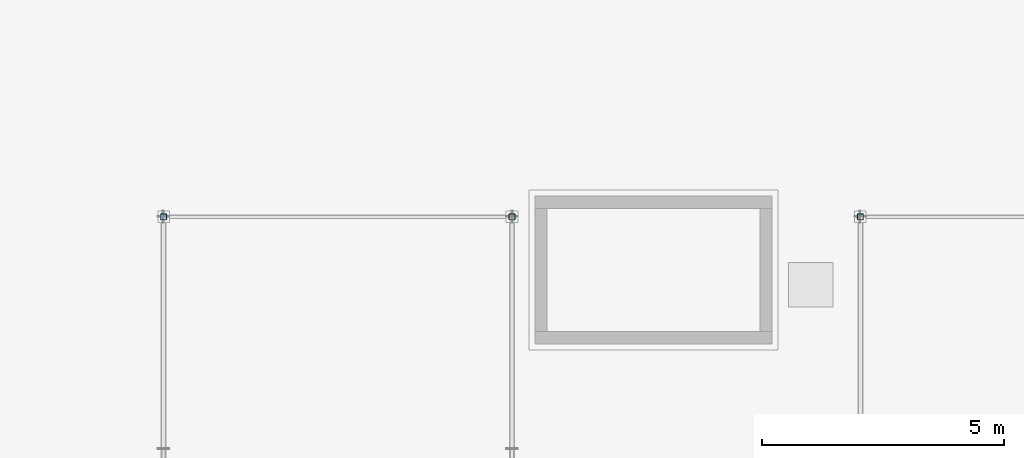
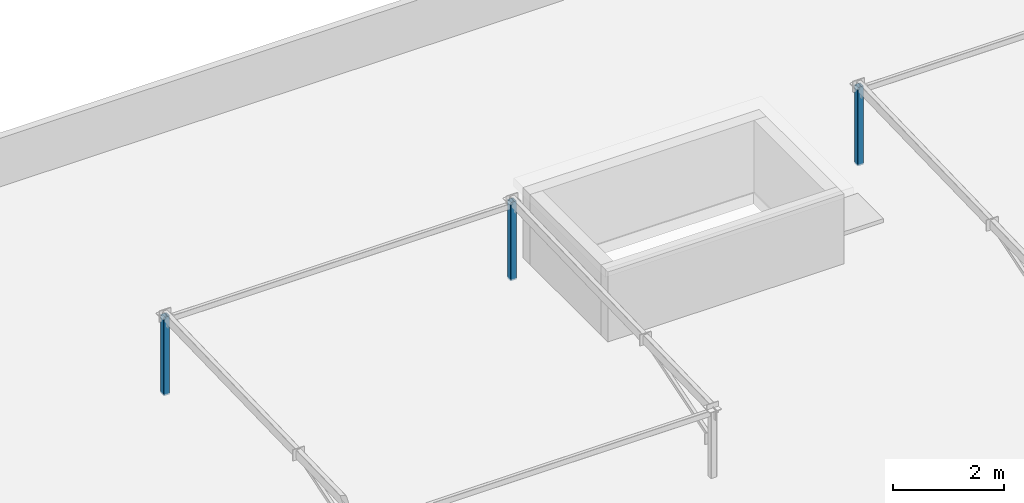
# One storey, part 3 of 43: 3 columns.
"""IFC4 building model written with IfcOpenShell, lengths in metres."""

from ifc_helpers import new_model, si_unit, direction, frame, origin, origin_2d, place, context, subcontext, project, spatial, hollow_rectangle, extrude, material, material_profile, profile_set, type_object, element, save


model = new_model("IFC4")

# Units and contexts
model_context = context("Model", 3, precision=1e-05, world=origin(), true_north=direction((0.0, 1.0)))
body_context = subcontext(model_context, "Body", "Model", "MODEL_VIEW")
ifc_project = project(units=[si_unit("LENGTHUNIT", "METRE"), si_unit("AREAUNIT", "SQUARE_METRE"), si_unit("VOLUMEUNIT", "CUBIC_METRE"), si_unit("PLANEANGLEUNIT", "RADIAN"), si_unit("MASSUNIT", "GRAM", prefix="KILO")], contexts=[model_context])

# Site, building, storey
site_placement = place(None, origin())
site = spatial("IfcSite", under=ifc_project, at=site_placement, CompositionType="ELEMENT")
building_placement = place(site_placement, origin())
building = spatial("IfcBuilding", under=site, at=building_placement, Name="Ochrevale Crest", CompositionType="ELEMENT")
storey_placement = place(building_placement, frame((0.0, 0.0, 30.75)))
storey = spatial("IfcBuildingStorey", under=building, at=storey_placement, Name="L09", CompositionType="ELEMENT", Elevation=30.75)

# Columns
ifc_material = material(Name="Steel S355", Category="steel")
ifc_material_profile = material_profile(ifc_material, hollow_rectangle(XDim=0.125, YDim=0.125, WallThickness=0.006103515625, InnerFilletRadius=0.006103515625, OuterFilletRadius=0.011962890625, at=origin_2d()), Name="125x125x6.0SHS")
ifc_profile_set = profile_set([ifc_material_profile], Name="Steel S355")
column_type = type_object("IfcColumnType", Name="COL-SHS125", PredefinedType="COLUMN", material=ifc_profile_set)
for number, where, z_axis, x_axis, name in (
    (1, (7.199951171875, 28.800048828125, 0.0), (0.0, 0.0, 1.0), (1.0, 0.0, 0.0), "Block A solar-frame support post"),
    (2, (14.39990234375, 28.800048828125, 0.0), (0.0, 0.0, 1.0), (1.0, 0.0, 0.0), "Block A solar-frame support post"),
    (3, (21.60009765625, 28.800048828125, 0.0), (0.0, 0.0, 1.0), (1.0, 0.0, 0.0), "Block A solar-frame support post"),
):
    element("IfcColumn", number, at=place(storey_placement, frame(where, z_axis=z_axis, x_axis=x_axis)), inside=storey, type_object=column_type, Name=name, PredefinedType="COLUMN", context=body_context, shape_type="SweptSolid", body=[
        extrude(hollow_rectangle(XDim=0.125, YDim=0.125, WallThickness=0.006103515625, InnerFilletRadius=0.006103515625, OuterFilletRadius=0.011962890625, at=origin_2d()), origin(), (0.0, 0.0, 1.0), 1.719970703125),
    ])

save(model, "model.ifc")
